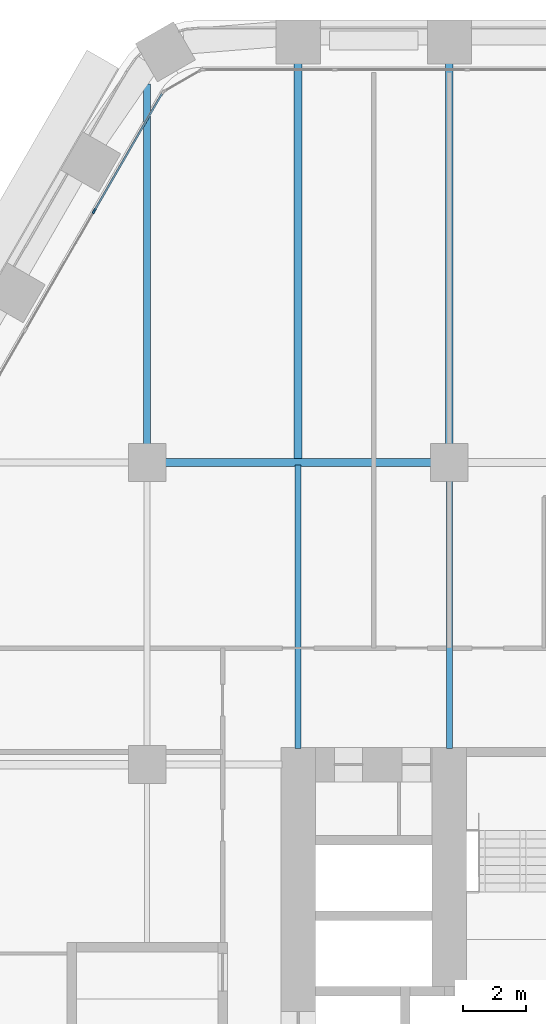
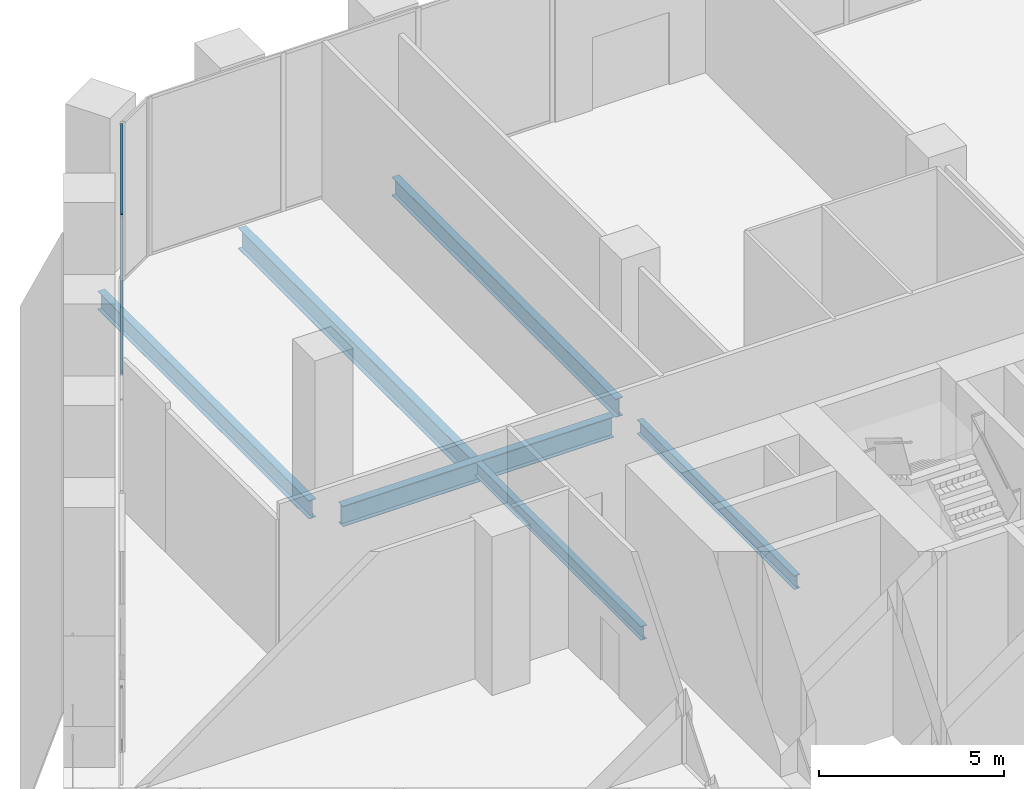
# One storey, part 8 of 27: 6 beams, 3 members, 1 element without a shape of its own.
"""IFC4 building model written with IfcOpenShell, lengths in metres."""

from ifc_helpers import new_model, si_unit, direction, frame, origin, origin_2d, place, context, subcontext, project, spatial, rectangle, i_section, extrude, material, material_profile, profile_set, type_object, element, aggregate, save


model = new_model("IFC4")

# Units and contexts
model_context = context("Model", 3, precision=1e-05, world=origin(), true_north=direction((0.0, 1.0)))
body_context = subcontext(model_context, "Body", "Model", "MODEL_VIEW")
ifc_project = project(units=[si_unit("LENGTHUNIT", "METRE"), si_unit("AREAUNIT", "SQUARE_METRE"), si_unit("VOLUMEUNIT", "CUBIC_METRE"), si_unit("PLANEANGLEUNIT", "RADIAN"), si_unit("MASSUNIT", "GRAM", prefix="KILO")], contexts=[model_context])

# Site, building, storey
site_placement = place(None, origin())
site = spatial("IfcSite", under=ifc_project, at=site_placement, CompositionType="ELEMENT")
building_placement = place(site_placement, origin())
building = spatial("IfcBuilding", under=site, at=building_placement, Name="Kolab Exchange Tower", CompositionType="ELEMENT")
storey_placement = place(building_placement, frame((0.0, 0.0, 49.89990234375)))
storey = spatial("IfcBuildingStorey", under=building, at=storey_placement, Name="L09", CompositionType="ELEMENT", Elevation=49.89990234375)

# Beams
ifc_material_1 = material(Name="Steel S355", Category="steel")
ifc_material_profile_1 = material_profile(ifc_material_1, i_section(OverallWidth=0.18994140625, OverallDepth=0.45703125, WebThickness=0.009033203125, FlangeThickness=0.014404296875, at=origin_2d()), Name="W460X74")
ifc_profile_set_1 = profile_set([ifc_material_profile_1], Name="Steel S355")
beam_type_1 = type_object("IfcBeamType", Name="FLOOR BEAM W460X74", PredefinedType="BEAM", material=ifc_profile_set_1)
beam_1_placement = place(storey_placement, frame((-14.39990234375, 10.110107421875, -0.478515625), z_axis=(0.0, 1.0, 0.0), x_axis=(-1.0, 0.0, 0.0)))
element("IfcBeam", 1, at=beam_1_placement, inside=storey, type_object=beam_type_1, Name="beam/L09/fr/020", PredefinedType="BEAM", context=body_context, shape_type="SweptSolid", body=[
    extrude(i_section(OverallWidth=0.18994140625, OverallDepth=0.45703125, WebThickness=0.009033203125, FlangeThickness=0.014404296875, at=origin_2d()), origin(), (0.0, 0.0, 1.0), 9.0029296875),
])
beam_2_placement = place(storey_placement, frame((-9.60009765625, 10.110107421875, -0.478515625), z_axis=(0.0, 1.0, 0.0), x_axis=(-1.0, 0.0, 0.0)))
element("IfcBeam", 2, at=beam_2_placement, inside=storey, type_object=beam_type_1, Name="beam/L09/fr/024", PredefinedType="BEAM", context=body_context, shape_type="SweptSolid", body=[
    extrude(i_section(OverallWidth=0.18994140625, OverallDepth=0.45703125, WebThickness=0.009033203125, FlangeThickness=0.014404296875, at=origin_2d()), origin(), (0.0, 0.0, 1.0), 8.52978515625),
])
ifc_material_profile_2 = material_profile(ifc_material_1, i_section(OverallWidth=0.22802734375, OverallDepth=0.60791015625, WebThickness=0.01123046875, FlangeThickness=0.017333984375, at=origin_2d()), Name="W610X113")
ifc_profile_set_2 = profile_set([ifc_material_profile_2], Name="Steel S355")
beam_type_2 = type_object("IfcBeamType", Name="FLOOR BEAM W610X113", PredefinedType="BEAM", material=ifc_profile_set_2)
beam_3_placement = place(storey_placement, frame((-19.199951171875, 19.760009765625, -0.553955078125), z_axis=(0.0, 1.0, 0.0), x_axis=(-1.0, 0.0, 0.0)))
element("IfcBeam", 3, at=beam_3_placement, inside=storey, type_object=beam_type_2, Name="beam/L09/fr/017", PredefinedType="BEAM", context=body_context, shape_type="SweptSolid", body=[
    extrude(i_section(OverallWidth=0.22802734375, OverallDepth=0.60791015625, WebThickness=0.01123046875, FlangeThickness=0.017333984375, at=origin_2d()), origin(), (0.0, 0.0, 1.0), 11.45458984375),
])
beam_4_placement = place(storey_placement, frame((-9.60009765625, 19.760009765625, -0.553955078125), z_axis=(0.0, 1.0, 0.0), x_axis=(-1.0, 0.0, 0.0)))
element("IfcBeam", 4, at=beam_4_placement, inside=storey, type_object=beam_type_2, Name="beam/L09/fr/025", PredefinedType="BEAM", context=body_context, shape_type="SweptSolid", body=[
    extrude(i_section(OverallWidth=0.22802734375, OverallDepth=0.60791015625, WebThickness=0.01123046875, FlangeThickness=0.017333984375, at=origin_2d()), origin(), (0.0, 0.0, 1.0), 12.135498046875),
])
ifc_material_profile_3 = material_profile(ifc_material_1, i_section(OverallWidth=0.25390625, OverallDepth=0.68408203125, WebThickness=0.012451171875, FlangeThickness=0.018798828125, at=origin_2d()), Name="W690X140")
ifc_profile_set_3 = profile_set([ifc_material_profile_3], Name="Steel S355")
beam_type_3 = type_object("IfcBeamType", Name="FLOOR BEAM W690X140", PredefinedType="BEAM", material=ifc_profile_set_3)
beam_5_placement = place(storey_placement, frame((-14.39990234375, 19.287109375, -0.591796875), z_axis=(0.0, 1.0, 0.0), x_axis=(-1.0, 0.0, 0.0)))
element("IfcBeam", 5, at=beam_5_placement, inside=storey, type_object=beam_type_3, Name="beam/L09/fr/021", PredefinedType="BEAM", context=body_context, shape_type="SweptSolid", body=[
    extrude(i_section(OverallWidth=0.25390625, OverallDepth=0.68408203125, WebThickness=0.012451171875, FlangeThickness=0.018798828125, at=origin_2d()), origin(), (0.0, 0.0, 1.0), 12.6083984375),
])
ifc_material_profile_4 = material_profile(ifc_material_1, i_section(OverallWidth=0.25390625, OverallDepth=0.68408203125, WebThickness=0.012451171875, FlangeThickness=0.018798828125, at=origin_2d()), Name="W690X140")
ifc_profile_set_4 = profile_set([ifc_material_profile_4], Name="Steel S355")
beam_type_4 = type_object("IfcBeamType", Name="FLOOR GIRDER W690X140", PredefinedType="BEAM", material=ifc_profile_set_4)
beam_6_placement = place(storey_placement, frame((-18.639892578125, 19.199951171875, -0.591796875), z_axis=(1.0, 0.0, 0.0), x_axis=(0.0, 1.0, 0.0)))
element("IfcBeam", 6, at=beam_6_placement, inside=storey, type_object=beam_type_4, Name="beam/L09/gd/009", PredefinedType="BEAM", context=body_context, shape_type="SweptSolid", body=[
    extrude(i_section(OverallWidth=0.25390625, OverallDepth=0.68408203125, WebThickness=0.012451171875, FlangeThickness=0.018798828125, at=origin_2d()), origin(), (0.0, 0.0, 1.0), 8.47998046875),
])

# Curtain wall, members
ifc_material_2 = material(Name="Aluminium EN AW-6063 T6", Category="aluminium")
curtain_wall_type = type_object("IfcCurtainWallType", Name="UNITISED LOW ZONE CURTAIN WALL", PredefinedType="NOTDEFINED", material=ifc_material_2)
curtain_wall_placement = place(storey_placement, origin())
curtain_wall = element("IfcCurtainWall", 7, at=curtain_wall_placement, inside=storey, type_object=curtain_wall_type, Name="cw/L09/F6-2", PredefinedType="NOTDEFINED")
ifc_material_profile_5 = material_profile(ifc_material_2, rectangle(XDim=0.06005859375, YDim=0.159912109375, at=origin_2d()), Name="RECT 60X160")
ifc_profile_set_5 = profile_set([ifc_material_profile_5], Name="Aluminium EN AW-6063 T6")
member_type_1 = type_object("IfcMemberType", Name="UNITISED LOW ZONE MULLION 60 X 160", PredefinedType="MULLION", material=ifc_profile_set_5)
member_1_placement = place(storey_placement, frame((-20.881103515625, 27.183349609375, 0.0), z_axis=(0.0, 0.0, 1.0), x_axis=(-0.866025397318, 0.5000000112, 0.0)))
member_1 = element("IfcMember", 8, at=member_1_placement, type_object=member_type_1, Name="CW1 mullion 4", PredefinedType="MULLION", context=body_context, shape_type="SweptSolid", body=[
    extrude(rectangle(XDim=0.06005859375, YDim=0.159912109375, at=origin_2d()), origin(), (0.0, 0.0, 1.0), 5.25),
])
ifc_material_profile_6 = material_profile(ifc_material_2, rectangle(XDim=0.06005859375, YDim=0.10009765625, at=origin_2d()), Name="RECT 60X100")
ifc_profile_set_6 = profile_set([ifc_material_profile_6], Name="Aluminium EN AW-6063 T6")
member_type_2 = type_object("IfcMemberType", Name="UNITISED LOW ZONE TRANSOM 60 X 100", PredefinedType="USERDEFINED", material=ifc_profile_set_6)
member_2_placement = place(storey_placement, frame((-20.8662109375, 27.20947265625, 0.030029296875), z_axis=(0.500000816281, 0.866024932504, 0.0), x_axis=(-0.866024932504, 0.500000816281, 0.0)))
member_2 = element("IfcMember", 9, at=member_2_placement, type_object=member_type_2, Name="CW1 transom 4.1", ObjectType="TRANSOM", PredefinedType="USERDEFINED", context=body_context, shape_type="SweptSolid", body=[
    extrude(rectangle(XDim=0.06005859375, YDim=0.10009765625, at=origin_2d()), origin(), (0.0, 0.0, 1.0), 4.27685546875),
])
member_3_placement = place(storey_placement, frame((-20.8662109375, 27.20947265625, 5.22021484375), z_axis=(0.500000816281, 0.866024932504, 0.0), x_axis=(-0.866024932504, 0.500000816281, 0.0)))
member_3 = element("IfcMember", 10, at=member_3_placement, type_object=member_type_2, Name="CW1 transom 4.2", ObjectType="TRANSOM", PredefinedType="USERDEFINED", context=body_context, shape_type="SweptSolid", body=[
    extrude(rectangle(XDim=0.06005859375, YDim=0.10009765625, at=origin_2d()), origin(), (0.0, 0.0, 1.0), 4.27685546875),
])
aggregate(curtain_wall, [member_1, member_2, member_3])

save(model, "model.ifc")
